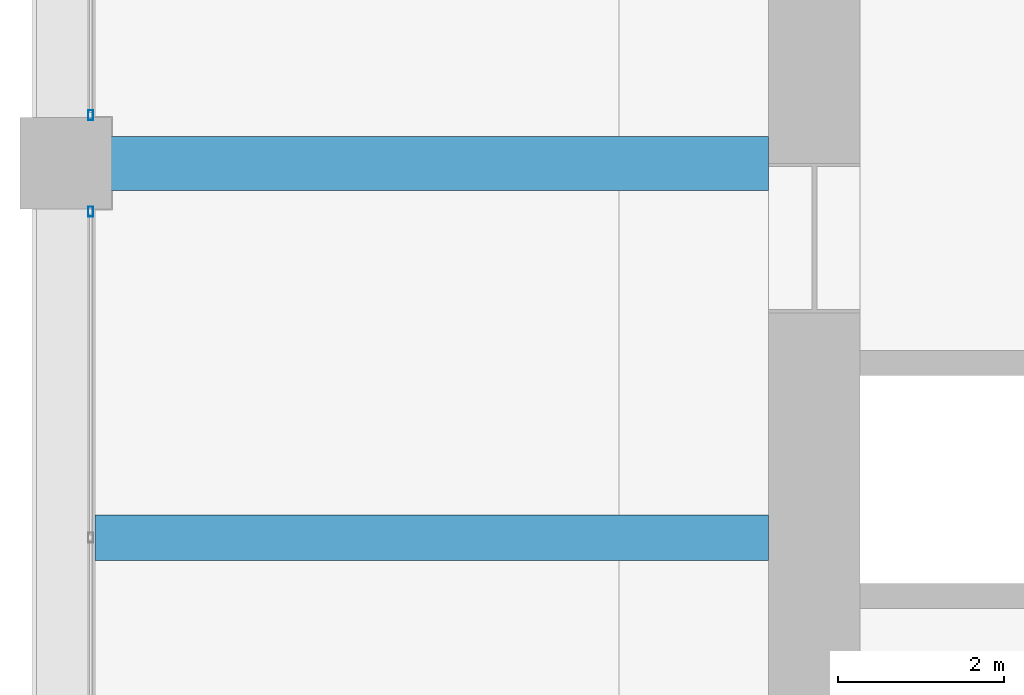
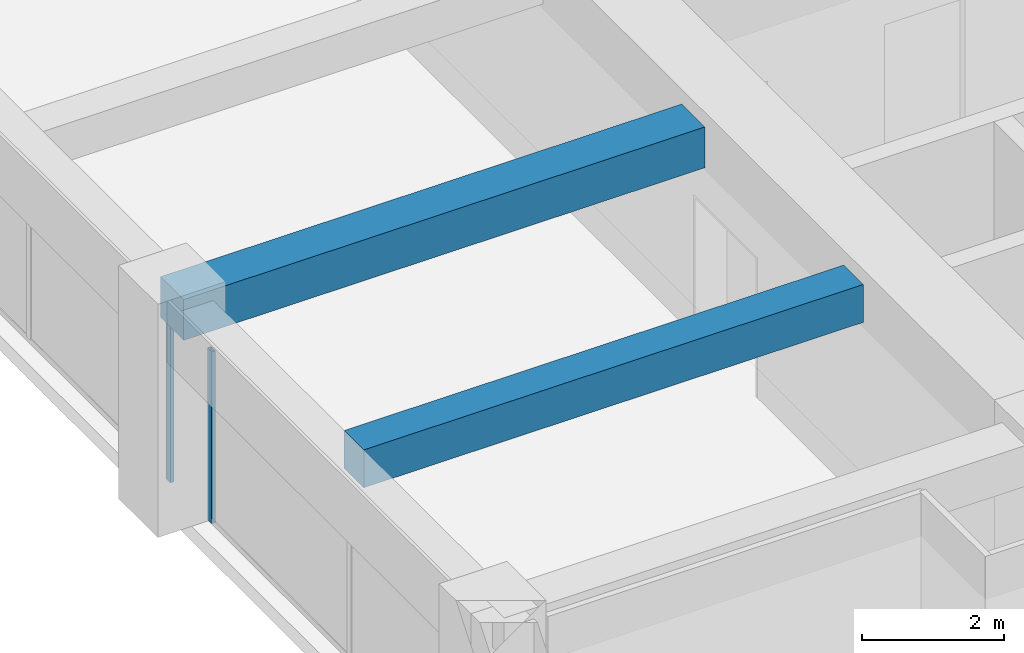
# One storey, part 15 of 45: 2 beams, 2 members, 2 elements without a shape of their own.
"""IFC4 building model written with IfcOpenShell, lengths in metres."""

from ifc_helpers import new_model, si_unit, direction, frame, origin, origin_2d, place, context, subcontext, project, spatial, rectangle, hollow_rectangle, extrude, material, material_profile, profile_set, type_object, element, aggregate, save


model = new_model("IFC4")

# Units and contexts
model_context = context("Model", 3, precision=1e-05, world=origin(), true_north=direction((0.0, 1.0)))
body_context = subcontext(model_context, "Body", "Model", "MODEL_VIEW")
ifc_project = project(units=[si_unit("LENGTHUNIT", "METRE"), si_unit("AREAUNIT", "SQUARE_METRE"), si_unit("VOLUMEUNIT", "CUBIC_METRE"), si_unit("PLANEANGLEUNIT", "RADIAN"), si_unit("MASSUNIT", "GRAM", prefix="KILO")], contexts=[model_context])

# Site, building, storey
site_placement = place(None, origin())
site = spatial("IfcSite", under=ifc_project, at=site_placement, CompositionType="ELEMENT")
building_placement = place(site_placement, origin())
building = spatial("IfcBuilding", under=site, at=building_placement, Name="Zorevar Civic Tower", CompositionType="ELEMENT")
storey_placement = place(building_placement, frame((0.0, 0.0, 279.39990234375)))
storey = spatial("IfcBuildingStorey", under=building, at=storey_placement, Name="L68", CompositionType="ELEMENT", Elevation=279.39990234375)

# Beams
ifc_material_1 = material(Name="Concrete C50/60", Category="concrete")
ifc_material_profile_1 = material_profile(ifc_material_1, rectangle(XDim=0.550048828125, YDim=0.64990234375, at=origin_2d()), Name="RC 550x650")
ifc_profile_set_1 = profile_set([ifc_material_profile_1], Name="Concrete C50/60")
beam_type_1 = type_object("IfcBeamType", Name="Beam RC 550x650", PredefinedType="BEAM", material=ifc_profile_set_1)
beam_1_placement = place(storey_placement, frame((9.35009765625, 22.5, 3.425048828125), z_axis=(1.0, 0.0, 0.0), x_axis=(0.0, 1.0, 0.0)))
element("IfcBeam", 1, at=beam_1_placement, inside=storey, type_object=beam_type_1, Name="Secondary beam L69", PredefinedType="BEAM", context=body_context, shape_type="SweptSolid", body=[
    extrude(rectangle(XDim=0.550048828125, YDim=0.64990234375, at=origin_2d()), origin(), (0.0, 0.0, 1.0), 8.099853515625),
])
ifc_material_2 = material(Name="Concrete C50/60", Category="concrete")
ifc_material_profile_2 = material_profile(ifc_material_2, rectangle(XDim=0.64990234375, YDim=0.699951171875, at=origin_2d()), Name="RC 650x700")
ifc_profile_set_2 = profile_set([ifc_material_profile_2], Name="Concrete C50/60")
beam_type_2 = type_object("IfcBeamType", Name="Beam RC 650x700", PredefinedType="BEAM", material=ifc_profile_set_2)
beam_2_placement = place(storey_placement, frame((9.0, 27.0, 3.400146484375), z_axis=(1.0, 0.0, 0.0), x_axis=(0.0, 1.0, 0.0)))
element("IfcBeam", 2, at=beam_2_placement, inside=storey, type_object=beam_type_2, Name="Girder L69", PredefinedType="BEAM", context=body_context, shape_type="SweptSolid", body=[
    extrude(rectangle(XDim=0.64990234375, YDim=0.699951171875, at=origin_2d()), origin(), (0.0, 0.0, 1.0), 8.449951171875),
])

# Curtain wall, member
ifc_material_3 = material(Name="Dark grey solar-control glass in black aluminium frame", Category="aluminium")
curtain_wall_type = type_object("IfcCurtainWallType", Name="Curtain wall CW5 top zone", PredefinedType="NOTDEFINED", material=ifc_material_3)
curtain_wall_1_placement = place(storey_placement, origin())
curtain_wall_1 = element("IfcCurtainWall", 3, at=curtain_wall_1_placement, inside=storey, type_object=curtain_wall_type, Name="CW5 L68", PredefinedType="NOTDEFINED")
ifc_material_4 = material(Name="Aluminium, black anodised", Category="aluminium")
ifc_material_profile_3 = material_profile(ifc_material_4, hollow_rectangle(XDim=0.06005859375, YDim=0.1201171875, WallThickness=0.0029296875, at=origin_2d()), Name="AL 120x60x3")
ifc_profile_set_3 = profile_set([ifc_material_profile_3], Name="Aluminium, black anodised")
member_type = type_object("IfcMemberType", Name="CW5 mullion AL 120x60x3", PredefinedType="MULLION", material=ifc_profile_set_3)
member_1_placement = place(storey_placement, frame((9.300048828125, 26.419921875, 0.0), z_axis=(0.0, 0.0, 1.0), x_axis=(-1.0, 0.0, 0.0)))
member_1 = element("IfcMember", 4, at=member_1_placement, type_object=member_type, Name="CW5 mullion 3", PredefinedType="MULLION", context=body_context, shape_type="SweptSolid", body=[
    extrude(hollow_rectangle(XDim=0.06005859375, YDim=0.1201171875, WallThickness=0.0029296875, at=origin_2d()), origin(), (0.0, 0.0, 1.0), 2.9501953125),
])
aggregate(curtain_wall_1, [member_1])

curtain_wall_2_placement = place(storey_placement, origin())
curtain_wall_2 = element("IfcCurtainWall", 5, at=curtain_wall_2_placement, inside=storey, type_object=curtain_wall_type, Name="CW5 L68", PredefinedType="NOTDEFINED")
member_2_placement = place(storey_placement, frame((9.300048828125, 27.580078125, 0.0), z_axis=(0.0, 0.0, 1.0), x_axis=(-1.0, 0.0, 0.0)))
member_2 = element("IfcMember", 6, at=member_2_placement, type_object=member_type, Name="CW5 mullion 1", PredefinedType="MULLION", context=body_context, shape_type="SweptSolid", body=[
    extrude(hollow_rectangle(XDim=0.06005859375, YDim=0.1201171875, WallThickness=0.0029296875, at=origin_2d()), origin(), (0.0, 0.0, 1.0), 2.9501953125),
])
aggregate(curtain_wall_2, [member_2])

save(model, "model.ifc")
